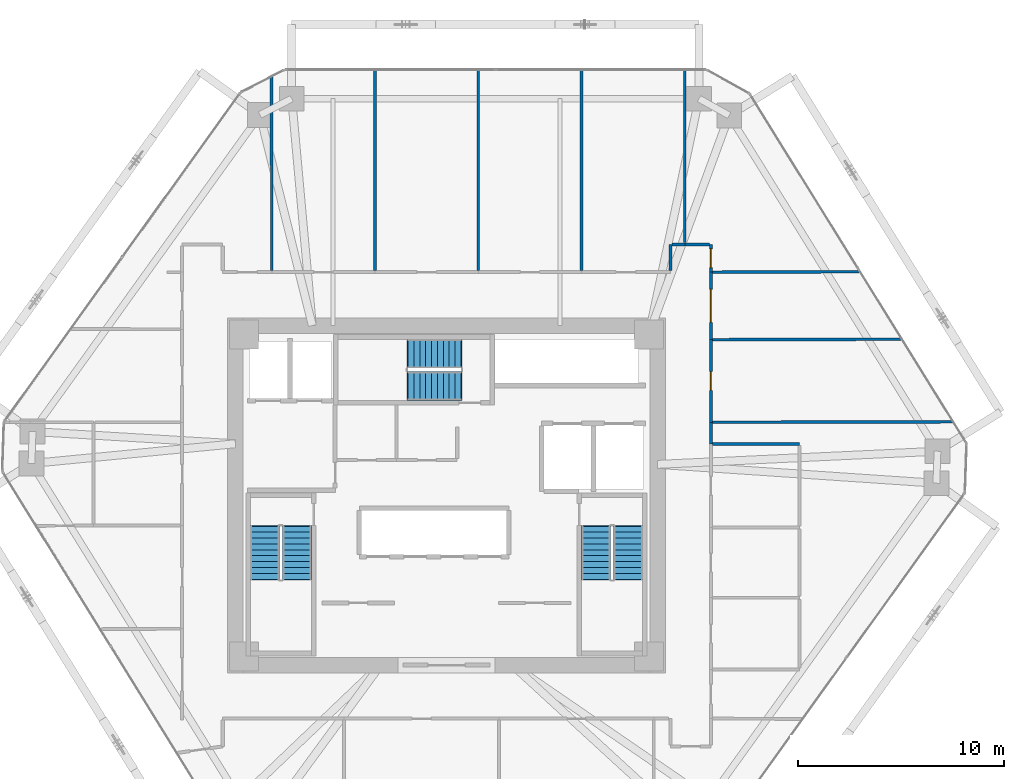
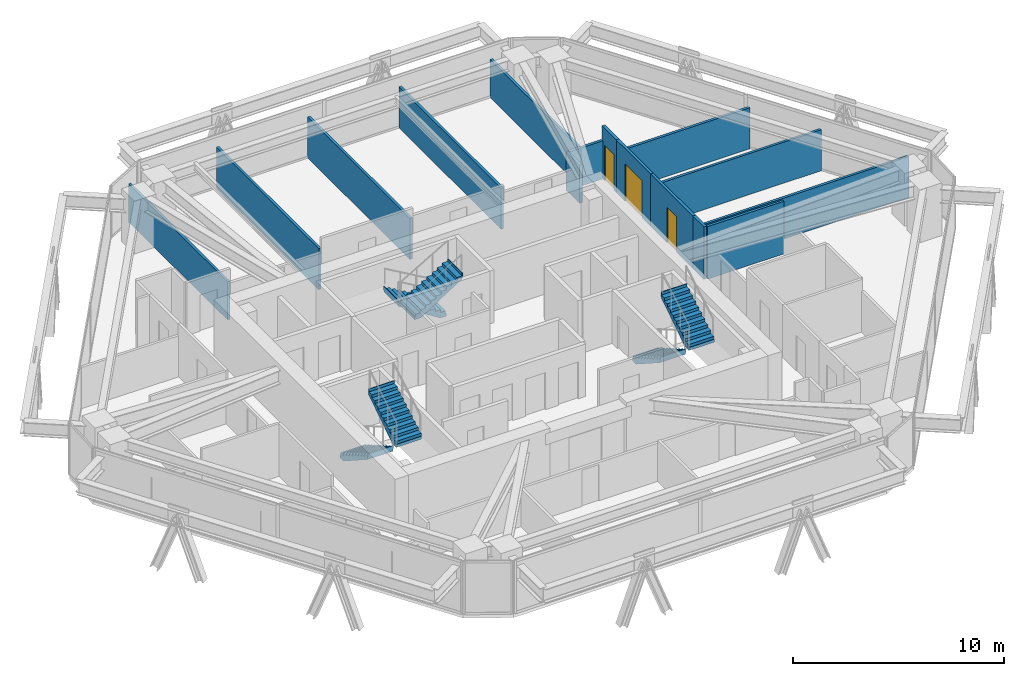
# One storey, part 15 of 16: 16 walls, 6 stair flights, 3 doors, 3 openings, 3 elements without a shape of their own.
"""IFC4 building model written with IfcOpenShell, lengths in metres."""

from ifc_helpers import new_model, si_unit, direction, frame, frame_2d, origin, place, context, subcontext, project, spatial, polyline, rectangle, outline, extrude, source, transform, mapped, material, layer, layer_set, type_object, type_shapes, element, fill, aggregate, save


model = new_model("IFC4")

# Units and contexts
model_context = context("Model", 3, precision=1e-05, world=origin(), true_north=direction((0.0, 1.0)))
body_context = subcontext(model_context, "Body", "Model", "MODEL_VIEW")
ifc_project = project(units=[si_unit("LENGTHUNIT", "METRE"), si_unit("AREAUNIT", "SQUARE_METRE"), si_unit("VOLUMEUNIT", "CUBIC_METRE"), si_unit("PLANEANGLEUNIT", "RADIAN"), si_unit("MASSUNIT", "GRAM", prefix="KILO")], contexts=[model_context])

# Site, building, storey
site_placement = place(None, origin())
site = spatial("IfcSite", under=ifc_project, at=site_placement, CompositionType="ELEMENT")
building_placement = place(site_placement, origin())
building = spatial("IfcBuilding", under=site, at=building_placement, Name="Durnholm Broadcast Tower", CompositionType="ELEMENT")
storey_placement = place(building_placement, frame((0.0, 0.0, 130.5)))
storey = spatial("IfcBuildingStorey", under=building, at=storey_placement, Name="L35", CompositionType="ELEMENT", Elevation=130.5)

# Walls
ifc_material_1 = material(Name="Gypsum Metal Stud Partition", Category="concrete")
ifc_layer_1 = layer(ifc_material_1, 0.135009765625)
ifc_layer_set_1 = layer_set([ifc_layer_1], Name="Gypsum Metal Stud Partition")
wall_type_1 = type_object("IfcWallType", Name="WALL-PART-135", PredefinedType="PARTITIONING", material=ifc_layer_set_1)
wall_1_placement = place(storey_placement, frame((-8.478271484375, 20.28564453125, 0.0), z_axis=(0.0, 0.0, 1.0), x_axis=(0.001922623691, -0.999998151757, 0.0)))
element("IfcWall", 1, at=wall_1_placement, inside=storey, type_object=wall_type_1, Name="L35 room dividing partition 8.9", PredefinedType="PARTITIONING", context=body_context, shape_type="SweptSolid", body=[
    extrude(rectangle(XDim=9.396728515625, YDim=0.135009765625, at=frame_2d((4.6982421875, 0.0))), origin(), (0.0, 0.0, 1.0), 2.212158203125),
])
for number, where, z_axis, x_axis, name in (
    (2, (-3.4599609375, 20.614990234375, 0.0), (0.0, 0.0, 1.0), (0.0, -1.0, 0.0), "L35 room dividing partition 9.10"),
    (3, (1.5400390625, 20.614990234375, 0.0), (0.0, 0.0, 1.0), (0.0, -1.0, 0.0), "L35 room dividing partition 10.11"),
    (4, (6.5400390625, 20.614990234375, 0.0), (0.0, 0.0, 1.0), (0.0, -1.0, 0.0), "L35 room dividing partition 11.12"),
):
    element("IfcWall", number, at=place(storey_placement, frame(where, z_axis=z_axis, x_axis=x_axis)), inside=storey, type_object=wall_type_1, Name=name, PredefinedType="PARTITIONING", context=body_context, shape_type="SweptSolid", body=[
        extrude(rectangle(XDim=9.72607421875, YDim=0.135009765625, at=frame_2d((4.863037109375, 0.0))), origin(), (0.0, 0.0, 1.0), 2.3798828125),
    ])
wall_2_placement = place(storey_placement, frame((11.5400390625, 20.614990234375, 0.0), z_axis=(0.0, 0.0, 1.0), x_axis=(0.0, -1.0, 0.0)))
element("IfcWall", 5, at=wall_2_placement, inside=storey, type_object=wall_type_1, Name="L35 room dividing partition 12.13", PredefinedType="PARTITIONING", context=body_context, shape_type="SweptSolid", body=[
    extrude(rectangle(XDim=8.3759765625, YDim=0.135009765625, at=frame_2d((4.18798828125, 0.0))), origin(), (0.0, 0.0, 1.0), 2.212158203125),
])
wall_3_placement = place(storey_placement, frame((20.03515625, 10.8310546875, 0.0), z_axis=(0.0, 0.0, 1.0), x_axis=(-0.999995783715, -0.002903885812, 0.0)))
element("IfcWall", 6, at=wall_3_placement, inside=storey, type_object=wall_type_1, Name="L35 room dividing partition 13.26", PredefinedType="PARTITIONING", context=body_context, shape_type="SweptSolid", body=[
    extrude(rectangle(XDim=7.146240234375, YDim=0.135009765625, at=frame_2d((3.5732421875, 0.0))), origin(), (0.0, 0.0, 1.0), 2.3798828125),
])
wall_4_placement = place(storey_placement, frame((12.888916015625, 3.5400390625, 0.0), z_axis=(0.0, 0.0, 1.0), x_axis=(0.999998377575, 0.001801345995, 0.0)))
element("IfcWall", 7, at=wall_4_placement, inside=storey, type_object=wall_type_1, Name="L35 room dividing partition 24.25", PredefinedType="PARTITIONING", context=body_context, shape_type="SweptSolid", body=[
    extrude(rectangle(XDim=11.65576171875, YDim=0.135009765625, at=frame_2d((5.827880859375, 0.0))), origin(), (0.0, 0.0, 1.0), 2.3798828125),
])
wall_5_placement = place(storey_placement, frame((12.888916015625, 7.540283203125, 0.0), z_axis=(0.0, 0.0, 1.0), x_axis=(0.99999744191, 0.002261895808, 0.0)))
element("IfcWall", 8, at=wall_5_placement, inside=storey, type_object=wall_type_1, Name="L35 room dividing partition 25.26", PredefinedType="PARTITIONING", context=body_context, shape_type="SweptSolid", body=[
    extrude(rectangle(XDim=9.174560546875, YDim=0.135009765625, at=frame_2d((4.58740234375, 0.0))), origin(), (0.0, 0.0, 1.0), 2.3798828125),
])
ifc_material_2 = material(Name="Acoustic Gypsum Stud Partition", Category="concrete")
ifc_layer_2 = layer(ifc_material_2, 0.14990234375)
ifc_layer_set_2 = layer_set([ifc_layer_2], Name="Acoustic Gypsum Stud Partition")
wall_type_2 = type_object("IfcWallType", Name="WALL-PART-150", PredefinedType="PARTITIONING", material=ifc_layer_set_2)
wall_6_placement = place(storey_placement, frame((10.840087890625, 12.159912109375, 0.0), z_axis=(0.0, 0.0, 1.0), x_axis=(0.0, -1.0, 0.0)))
element("IfcWall", 9, at=wall_6_placement, inside=storey, type_object=wall_type_2, Name="L35 Acoustic Meeting Room 1 corridor partition", PredefinedType="PARTITIONING", context=body_context, shape_type="SweptSolid", body=[
    extrude(rectangle(XDim=1.27099609375, YDim=0.14990234375, at=frame_2d((0.635498046875, 0.0))), origin(), (0.0, 0.0, 1.0), 2.212158203125),
])
wall_7_placement = place(storey_placement, frame((11.5400390625, 12.159912109375, 0.0), z_axis=(0.0, 0.0, 1.0), x_axis=(-1.0, 0.0, 0.0)))
element("IfcWall", 10, at=wall_7_placement, inside=storey, type_object=wall_type_2, Name="L35 Acoustic Meeting Room 1 corridor partition", PredefinedType="PARTITIONING", context=body_context, shape_type="SweptSolid", body=[
    extrude(rectangle(XDim=0.62109375, YDim=0.14990234375, at=frame_2d((0.310546875, 0.0))), origin(), (0.0, 0.0, 1.0), 2.212158203125),
])

# Wall, opening, door
wall_8_placement = place(storey_placement, frame((12.81005859375, 10.81005859375, 0.0), z_axis=(0.0, 0.0, 1.0), x_axis=(0.0, 1.0, 0.0)))
wall_8 = element("IfcWall", 11, at=wall_8_placement, inside=storey, type_object=wall_type_2, Name="L35 Open Plan Broadcast Workspace 1 corridor partition", PredefinedType="PARTITIONING", context=body_context, shape_type="SweptSolid", body=[
    extrude(rectangle(XDim=1.349853515625, YDim=0.14990234375, at=frame_2d((0.6748046875, 0.0))), origin(), (0.0, 0.0, 1.0), 3.044921875),
])
opening_1_placement = place(wall_8_placement, frame((0.22509765625, 0.0, 0.0)))
opening_1 = element("IfcOpeningElement", 12, at=opening_1_placement, cuts=wall_8, Name="Opening DW-90R", PredefinedType="OPENING", context=body_context, shape_type="SweptSolid", body=[
    extrude(rectangle(XDim=0.89990234375, YDim=2.050048828125, at=frame_2d((0.449951171875, 1.02490234375))), frame((0.0, 0.0849609375, 0.0), z_axis=(0.0, -1.0, 0.0), x_axis=(1.0, 0.0, 0.0)), (0.0, 0.0, 1.0), 0.169921875),
])
ifc_material_3 = material(Name="Laminate Restroom Door", Category="steel")
ifc_layer_3 = layer(ifc_material_3, 0.050048828125)
ifc_layer_set_3 = layer_set([ifc_layer_3], Name="Laminate Restroom Door")
door_type_1 = type_object("IfcDoorType", Name="DOOR-WC-900R", OperationType="NOTDEFINED", PredefinedType="DOOR", material=ifc_layer_set_3)
shared_shape_1 = source(origin(), body_context, "Body", "SweptSolid", [
    extrude(rectangle(XDim=0.89990234375, YDim=2.050048828125, at=frame_2d((0.449951171875, 1.02490234375))), frame((0.0, 0.02490234375, 0.0), z_axis=(0.0, -1.0, 0.0), x_axis=(1.0, 0.0, 0.0)), (0.0, 0.0, 1.0), 0.050048828125),
])
type_shapes(door_type_1, [shared_shape_1])
door_1_placement = place(opening_1_placement, origin())
door_1 = element("IfcDoor", 13, at=door_1_placement, inside=storey, type_object=door_type_1, Name="L35 Open Plan Broadcast Workspace 1 entrance door", OperationType="SINGLE_SWING_RIGHT", OverallHeight=2.050048828125, OverallWidth=0.89990234375, PredefinedType="DOOR", context=body_context, shape_type="MappedRepresentation", body=[
    mapped(shared_shape_1, transform((0.0, 0.0, 0.0), x_axis=(1.0, 0.0, 0.0), y_axis=(0.0, 1.0, 0.0), z_axis=(0.0, 0.0, 1.0), scale=1.0)),
])
fill(opening_1, door_1)

# Walls
wall_9_placement = place(storey_placement, frame((12.73095703125, 12.159912109375, 0.0), z_axis=(0.0, 0.0, 1.0), x_axis=(-1.0, 0.0, 0.0)))
element("IfcWall", 14, at=wall_9_placement, inside=storey, type_object=wall_type_2, Name="L35 Open Plan Broadcast Workspace 1 corridor partition", PredefinedType="PARTITIONING", context=body_context, shape_type="SweptSolid", body=[
    extrude(rectangle(XDim=1.19091796875, YDim=0.14990234375, at=frame_2d((0.595458984375, 0.0))), origin(), (0.0, 0.0, 1.0), 2.212158203125),
])
wall_10_placement = place(storey_placement, frame((12.81005859375, 2.489990234375, 0.0), z_axis=(0.0, 0.0, 1.0), x_axis=(0.0, 1.0, 0.0)))
element("IfcWall", 15, at=wall_10_placement, inside=storey, type_object=wall_type_2, Name="L35 Open Plan Broadcast Workspace 6 corridor partition", PredefinedType="PARTITIONING", context=body_context, shape_type="SweptSolid", body=[
    extrude(rectangle(XDim=1.050048828125, YDim=0.14990234375, at=frame_2d((0.52490234375, 0.0))), origin(), (0.0, 0.0, 1.0), 3.044921875),
])

# Wall, opening, door
wall_11_placement = place(storey_placement, frame((12.81005859375, 3.5400390625, 0.0), z_axis=(0.0, 0.0, 1.0), x_axis=(0.0, 1.0, 0.0)))
wall_11 = element("IfcWall", 16, at=wall_11_placement, inside=storey, type_object=wall_type_2, Name="L35 Music Library Store corridor partition", PredefinedType="PARTITIONING", context=body_context, shape_type="SweptSolid", body=[
    extrude(rectangle(XDim=4.0, YDim=0.14990234375, at=frame_2d((2.0, 0.0))), origin(), (0.0, 0.0, 1.0), 3.044921875),
])
opening_2_placement = place(wall_11_placement, frame((1.550048828125, 0.0, 0.0)))
opening_2 = element("IfcOpeningElement", 17, at=opening_2_placement, cuts=wall_11, Name="Opening DC-60L", PredefinedType="OPENING", context=body_context, shape_type="SweptSolid", body=[
    extrude(rectangle(XDim=0.89990234375, YDim=2.050048828125, at=frame_2d((0.449951171875, 1.02490234375))), frame((0.0, 0.0849609375, 0.0), z_axis=(0.0, -1.0, 0.0), x_axis=(1.0, 0.0, 0.0)), (0.0, 0.0, 1.0), 0.169921875),
])
ifc_material_4 = material(Name="Fire-Rated Core Service Door", Category="steel")
ifc_layer_4 = layer(ifc_material_4, 0.050048828125)
ifc_layer_set_4 = layer_set([ifc_layer_4], Name="Fire-Rated Core Service Door")
door_type_2 = type_object("IfcDoorType", Name="DOOR-CORE-FD60-L", OperationType="NOTDEFINED", PredefinedType="DOOR", material=ifc_layer_set_4)
shared_shape_2 = source(origin(), body_context, "Body", "SweptSolid", [
    extrude(rectangle(XDim=0.89990234375, YDim=2.050048828125, at=frame_2d((0.449951171875, 1.02490234375))), frame((0.0, 0.02490234375, 0.0), z_axis=(0.0, -1.0, 0.0), x_axis=(1.0, 0.0, 0.0)), (0.0, 0.0, 1.0), 0.050048828125),
])
type_shapes(door_type_2, [shared_shape_2])
door_2_placement = place(opening_2_placement, origin())
door_2 = element("IfcDoor", 18, at=door_2_placement, inside=storey, type_object=door_type_2, Name="L35 Music Library Store entrance door", OperationType="SINGLE_SWING_LEFT", OverallHeight=2.050048828125, OverallWidth=0.89990234375, PredefinedType="DOOR", context=body_context, shape_type="MappedRepresentation", body=[
    mapped(shared_shape_2, transform((0.0, 0.0, 0.0), x_axis=(1.0, 0.0, 0.0), y_axis=(0.0, 1.0, 0.0), z_axis=(0.0, 0.0, 1.0), scale=1.0)),
])
fill(opening_2, door_2)

wall_12_placement = place(storey_placement, frame((12.81005859375, 7.5400390625, 0.0), z_axis=(0.0, 0.0, 1.0), x_axis=(0.0, 1.0, 0.0)))
wall_12 = element("IfcWall", 19, at=wall_12_placement, inside=storey, type_object=wall_type_2, Name="L35 Radio Broadcast Hall corridor partition", PredefinedType="PARTITIONING", context=body_context, shape_type="SweptSolid", body=[
    extrude(rectangle(XDim=3.27001953125, YDim=0.14990234375, at=frame_2d((1.635009765625, 0.0))), origin(), (0.0, 0.0, 1.0), 3.044921875),
])
opening_3_placement = place(wall_12_placement, frame((0.8349609375, 0.0, 0.0)))
opening_3 = element("IfcOpeningElement", 20, at=opening_3_placement, cuts=wall_12, Name="Opening DST-160", PredefinedType="OPENING", context=body_context, shape_type="SweptSolid", body=[
    extrude(rectangle(XDim=1.60009765625, YDim=2.14990234375, at=frame_2d((0.800048828125, 1.074951171875))), frame((0.0, 0.0849609375, 0.0), z_axis=(0.0, -1.0, 0.0), x_axis=(1.0, 0.0, 0.0)), (0.0, 0.0, 1.0), 0.169921875),
])
ifc_material_5 = material(Name="Acoustic Broadcast Studio Sound-Lock Door", Category="steel")
ifc_layer_5 = layer(ifc_material_5, 0.050048828125)
ifc_layer_set_5 = layer_set([ifc_layer_5], Name="Acoustic Broadcast Studio Sound-Lock Door")
door_type_3 = type_object("IfcDoorType", Name="DOOR-STU-1600", OperationType="DOUBLE_DOOR_SINGLE_SWING", PredefinedType="DOOR", material=ifc_layer_set_5)
shared_shape_3 = source(origin(), body_context, "Body", "SweptSolid", [
    extrude(rectangle(XDim=1.60009765625, YDim=2.14990234375, at=frame_2d((0.800048828125, 1.074951171875))), frame((0.0, 0.02490234375, 0.0), z_axis=(0.0, -1.0, 0.0), x_axis=(1.0, 0.0, 0.0)), (0.0, 0.0, 1.0), 0.050048828125),
])
type_shapes(door_type_3, [shared_shape_3])
door_3_placement = place(opening_3_placement, origin())
door_3 = element("IfcDoor", 21, at=door_3_placement, inside=storey, type_object=door_type_3, Name="L35 Radio Broadcast Hall entrance door", OperationType="DOUBLE_DOOR_SINGLE_SWING", OverallHeight=2.14990234375, OverallWidth=1.60009765625, PredefinedType="DOOR", context=body_context, shape_type="MappedRepresentation", body=[
    mapped(shared_shape_3, transform((0.0, 0.0, 0.0), x_axis=(1.0, 0.0, 0.0), y_axis=(0.0, 1.0, 0.0), z_axis=(0.0, 0.0, 1.0), scale=1.0)),
])
fill(opening_3, door_3)

# Wall
ifc_material_6 = material(Name="Moisture-Resistant Tile Partition", Category="concrete")
ifc_layer_6 = layer(ifc_material_6, 0.139892578125)
ifc_layer_set_6 = layer_set([ifc_layer_6], Name="Moisture-Resistant Tile Partition")
wall_type_3 = type_object("IfcWallType", Name="WALL-WC-140", PredefinedType="PARTITIONING", material=ifc_layer_set_6)
wall_13_placement = place(storey_placement, frame((12.888916015625, 2.489990234375, 0.0), z_axis=(0.0, 0.0, 1.0), x_axis=(1.0, 0.0, 0.0)))
element("IfcWall", 22, at=wall_13_placement, inside=storey, type_object=wall_type_3, Name="L35 room dividing partition 7.24", PredefinedType="PARTITIONING", context=body_context, shape_type="SweptSolid", body=[
    extrude(rectangle(XDim=4.201171875, YDim=0.139892578125, at=frame_2d((2.1005859375, 0.0))), origin(), (0.0, 0.0, 1.0), 3.044921875),
])

# Stair, stair flights
ifc_material_7 = material(Name="Concrete C50/60", Category="concrete")
stair_type = type_object("IfcStairType", Name="STAIR-DL-20R1650", PredefinedType="HALF_TURN_STAIR", material=ifc_material_7)
stair_1_placement = place(storey_placement, origin())
stair_1 = element("IfcStair", 23, at=stair_1_placement, inside=storey, type_object=stair_type, Name="L35 ST-1", PredefinedType="HALF_TURN_STAIR")
stair_flight_type = type_object("IfcStairFlightType", Name="FLIGHT-DL-20R1650", PredefinedType="STRAIGHT", material=ifc_material_7)
stair_flight_1_placement = place(storey_placement, frame((-8.800048828125, -1.5, 0.0), z_axis=(0.0, 0.0, 1.0), x_axis=(0.0, -1.0, 0.0)))
stair_flight_1 = element("IfcStairFlight", 24, at=stair_flight_1_placement, type_object=stair_flight_type, Name="ST-1 flight 1", NumberOfRisers=10, NumberOfTreads=9, PredefinedType="STRAIGHT", RiserHeight=0.165, TreadLength=0.285, context=body_context, shape_type="SweptSolid", body=[
    extrude(outline(polyline([(-0.0400390625, -0.14990234375), (-0.0400390625, 0.0), (0.0, 0.0), (0.0, 0.1650390625), (0.284912109375, 0.1650390625), (0.284912109375, 0.330078125), (0.570068359375, 0.330078125), (0.570068359375, 0.4951171875), (0.85498046875, 0.4951171875), (0.85498046875, 0.659912109375), (1.139892578125, 0.659912109375), (1.139892578125, 0.824951171875), (1.425048828125, 0.824951171875), (1.425048828125, 0.989990234375), (1.7099609375, 0.989990234375), (1.7099609375, 1.155029296875), (1.9951171875, 1.155029296875), (1.9951171875, 1.320068359375), (2.280029296875, 1.320068359375), (2.280029296875, 1.485107421875), (2.56494140625, 1.485107421875), (2.56494140625, 1.64990234375), (2.60498046875, 1.64990234375), (2.60498046875, 1.5), (2.56494140625, 1.311767578125), (0.299072265625, -0.14990234375), (-0.0400390625, -0.14990234375)])), frame((0.0, 0.699951171875, 0.0), z_axis=(0.0, -1.0, 0.0), x_axis=(1.0, 0.0, 0.0)), (0.0, 0.0, 1.0), 1.39990234375),
])
stair_flight_2_placement = place(storey_placement, frame((-7.239990234375, -4.06494140625, 1.64990234375), z_axis=(0.0, 0.0, 1.0), x_axis=(0.0, 1.0, 0.0)))
stair_flight_2 = element("IfcStairFlight", 25, at=stair_flight_2_placement, type_object=stair_flight_type, Name="ST-1 flight 2", NumberOfRisers=10, NumberOfTreads=9, PredefinedType="STRAIGHT", RiserHeight=0.165, TreadLength=0.285, context=body_context, shape_type="SweptSolid", body=[
    extrude(outline(polyline([(-0.0400390625, -0.14990234375), (-0.0400390625, 0.0), (0.0, 0.0), (0.0, 0.1650390625), (0.284912109375, 0.1650390625), (0.284912109375, 0.330078125), (0.570068359375, 0.330078125), (0.570068359375, 0.4951171875), (0.85498046875, 0.4951171875), (0.85498046875, 0.659912109375), (1.139892578125, 0.659912109375), (1.139892578125, 0.824951171875), (1.425048828125, 0.824951171875), (1.425048828125, 0.989990234375), (1.7099609375, 0.989990234375), (1.7099609375, 1.155029296875), (1.9951171875, 1.155029296875), (1.9951171875, 1.320068359375), (2.280029296875, 1.320068359375), (2.280029296875, 1.485107421875), (2.56494140625, 1.485107421875), (2.56494140625, 1.64990234375), (2.60498046875, 1.64990234375), (2.60498046875, 1.5), (2.56494140625, 1.311767578125), (0.299072265625, -0.14990234375), (-0.0400390625, -0.14990234375)])), frame((0.0, 0.699951171875, 0.0), z_axis=(0.0, -1.0, 0.0), x_axis=(1.0, 0.0, 0.0)), (0.0, 0.0, 1.0), 1.39990234375),
])
aggregate(stair_1, [stair_flight_1, stair_flight_2])

stair_2_placement = place(storey_placement, origin())
stair_2 = element("IfcStair", 26, at=stair_2_placement, inside=storey, type_object=stair_type, Name="L35 ST-2", PredefinedType="HALF_TURN_STAIR")
stair_flight_3_placement = place(storey_placement, frame((7.239990234375, -1.5, 0.0), z_axis=(0.0, 0.0, 1.0), x_axis=(0.0, -1.0, 0.0)))
stair_flight_3 = element("IfcStairFlight", 27, at=stair_flight_3_placement, type_object=stair_flight_type, Name="ST-2 flight 1", NumberOfRisers=10, NumberOfTreads=9, PredefinedType="STRAIGHT", RiserHeight=0.165, TreadLength=0.285, context=body_context, shape_type="SweptSolid", body=[
    extrude(outline(polyline([(-0.0400390625, -0.14990234375), (-0.0400390625, 0.0), (0.0, 0.0), (0.0, 0.1650390625), (0.284912109375, 0.1650390625), (0.284912109375, 0.330078125), (0.570068359375, 0.330078125), (0.570068359375, 0.4951171875), (0.85498046875, 0.4951171875), (0.85498046875, 0.659912109375), (1.139892578125, 0.659912109375), (1.139892578125, 0.824951171875), (1.425048828125, 0.824951171875), (1.425048828125, 0.989990234375), (1.7099609375, 0.989990234375), (1.7099609375, 1.155029296875), (1.9951171875, 1.155029296875), (1.9951171875, 1.320068359375), (2.280029296875, 1.320068359375), (2.280029296875, 1.485107421875), (2.56494140625, 1.485107421875), (2.56494140625, 1.64990234375), (2.60498046875, 1.64990234375), (2.60498046875, 1.5), (2.56494140625, 1.311767578125), (0.299072265625, -0.14990234375), (-0.0400390625, -0.14990234375)])), frame((0.0, 0.699951171875, 0.0), z_axis=(0.0, -1.0, 0.0), x_axis=(1.0, 0.0, 0.0)), (0.0, 0.0, 1.0), 1.39990234375),
])
stair_flight_4_placement = place(storey_placement, frame((8.800048828125, -4.06494140625, 1.64990234375), z_axis=(0.0, 0.0, 1.0), x_axis=(0.0, 1.0, 0.0)))
stair_flight_4 = element("IfcStairFlight", 28, at=stair_flight_4_placement, type_object=stair_flight_type, Name="ST-2 flight 2", NumberOfRisers=10, NumberOfTreads=9, PredefinedType="STRAIGHT", RiserHeight=0.165, TreadLength=0.285, context=body_context, shape_type="SweptSolid", body=[
    extrude(outline(polyline([(-0.0400390625, -0.14990234375), (-0.0400390625, 0.0), (0.0, 0.0), (0.0, 0.1650390625), (0.284912109375, 0.1650390625), (0.284912109375, 0.330078125), (0.570068359375, 0.330078125), (0.570068359375, 0.4951171875), (0.85498046875, 0.4951171875), (0.85498046875, 0.659912109375), (1.139892578125, 0.659912109375), (1.139892578125, 0.824951171875), (1.425048828125, 0.824951171875), (1.425048828125, 0.989990234375), (1.7099609375, 0.989990234375), (1.7099609375, 1.155029296875), (1.9951171875, 1.155029296875), (1.9951171875, 1.320068359375), (2.280029296875, 1.320068359375), (2.280029296875, 1.485107421875), (2.56494140625, 1.485107421875), (2.56494140625, 1.64990234375), (2.60498046875, 1.64990234375), (2.60498046875, 1.5), (2.56494140625, 1.311767578125), (0.299072265625, -0.14990234375), (-0.0400390625, -0.14990234375)])), frame((0.0, 0.699951171875, 0.0), z_axis=(0.0, -1.0, 0.0), x_axis=(1.0, 0.0, 0.0)), (0.0, 0.0, 1.0), 1.39990234375),
])
aggregate(stair_2, [stair_flight_3, stair_flight_4])

stair_3_placement = place(storey_placement, origin())
stair_3 = element("IfcStair", 29, at=stair_3_placement, inside=storey, type_object=stair_type, Name="L35 ST-3", PredefinedType="HALF_TURN_STAIR")
stair_flight_5_placement = place(storey_placement, frame((0.699951171875, 6.860107421875, 0.0), z_axis=(0.0, 0.0, 1.0), x_axis=(-1.0, 0.0, 0.0)))
stair_flight_5 = element("IfcStairFlight", 30, at=stair_flight_5_placement, type_object=stair_flight_type, Name="ST-3 flight 1", NumberOfRisers=10, NumberOfTreads=9, PredefinedType="STRAIGHT", RiserHeight=0.165, TreadLength=0.285, context=body_context, shape_type="SweptSolid", body=[
    extrude(outline(polyline([(-0.0400390625, -0.14990234375), (-0.0400390625, 0.0), (0.0, 0.0), (0.0, 0.1650390625), (0.284912109375, 0.1650390625), (0.284912109375, 0.330078125), (0.570068359375, 0.330078125), (0.570068359375, 0.4951171875), (0.85498046875, 0.4951171875), (0.85498046875, 0.659912109375), (1.139892578125, 0.659912109375), (1.139892578125, 0.824951171875), (1.425048828125, 0.824951171875), (1.425048828125, 0.989990234375), (1.7099609375, 0.989990234375), (1.7099609375, 1.155029296875), (1.9951171875, 1.155029296875), (1.9951171875, 1.320068359375), (2.280029296875, 1.320068359375), (2.280029296875, 1.485107421875), (2.56494140625, 1.485107421875), (2.56494140625, 1.64990234375), (2.60498046875, 1.64990234375), (2.60498046875, 1.5), (2.56494140625, 1.311767578125), (0.299072265625, -0.14990234375), (-0.0400390625, -0.14990234375)])), frame((0.0, 0.699951171875, 0.0), z_axis=(0.0, -1.0, 0.0), x_axis=(1.0, 0.0, 0.0)), (0.0, 0.0, 1.0), 1.39990234375),
])
stair_flight_6_placement = place(storey_placement, frame((-1.864990234375, 5.300048828125, 1.64990234375), z_axis=(0.0, 0.0, 1.0), x_axis=(1.0, 0.0, 0.0)))
stair_flight_6 = element("IfcStairFlight", 31, at=stair_flight_6_placement, type_object=stair_flight_type, Name="ST-3 flight 2", NumberOfRisers=10, NumberOfTreads=9, PredefinedType="STRAIGHT", RiserHeight=0.165, TreadLength=0.285, context=body_context, shape_type="SweptSolid", body=[
    extrude(outline(polyline([(-0.0400390625, -0.14990234375), (-0.0400390625, 0.0), (0.0, 0.0), (0.0, 0.1650390625), (0.284912109375, 0.1650390625), (0.284912109375, 0.330078125), (0.570068359375, 0.330078125), (0.570068359375, 0.4951171875), (0.85498046875, 0.4951171875), (0.85498046875, 0.659912109375), (1.139892578125, 0.659912109375), (1.139892578125, 0.824951171875), (1.425048828125, 0.824951171875), (1.425048828125, 0.989990234375), (1.7099609375, 0.989990234375), (1.7099609375, 1.155029296875), (1.9951171875, 1.155029296875), (1.9951171875, 1.320068359375), (2.280029296875, 1.320068359375), (2.280029296875, 1.485107421875), (2.56494140625, 1.485107421875), (2.56494140625, 1.64990234375), (2.60498046875, 1.64990234375), (2.60498046875, 1.5), (2.56494140625, 1.311767578125), (0.299072265625, -0.14990234375), (-0.0400390625, -0.14990234375)])), frame((0.0, 0.699951171875, 0.0), z_axis=(0.0, -1.0, 0.0), x_axis=(1.0, 0.0, 0.0)), (0.0, 0.0, 1.0), 1.39990234375),
])
aggregate(stair_3, [stair_flight_5, stair_flight_6])

save(model, "model.ifc")
